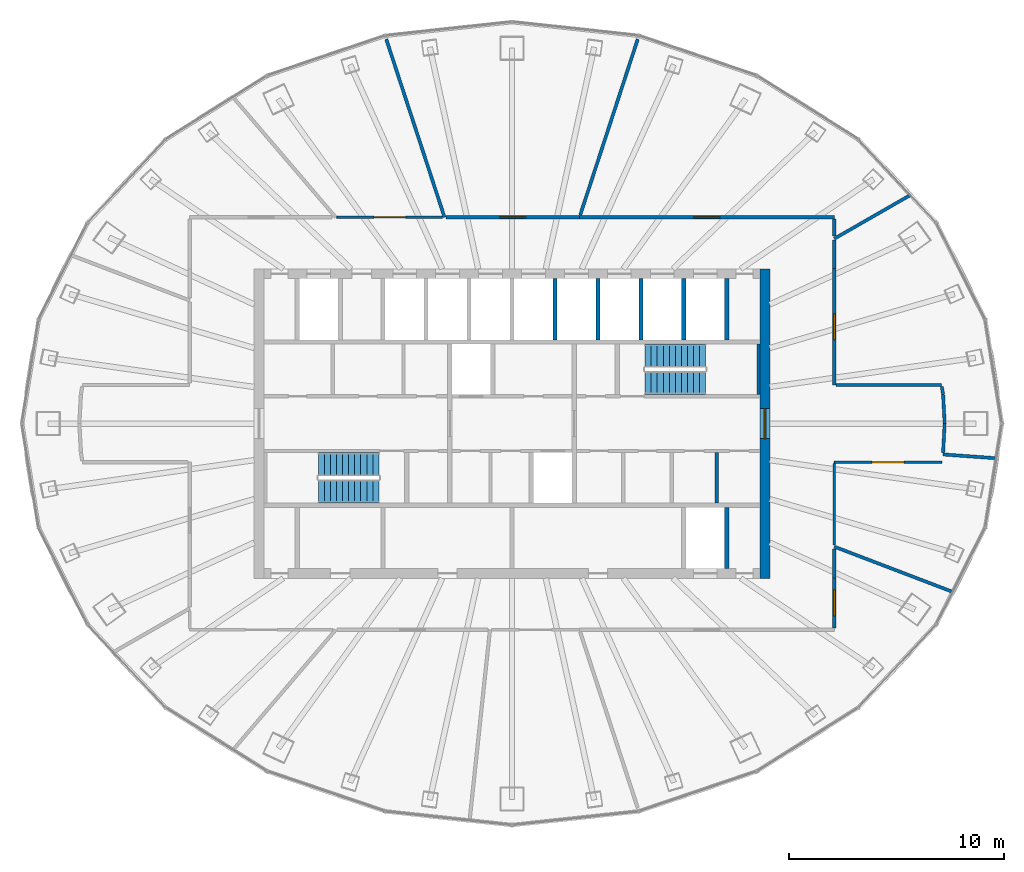
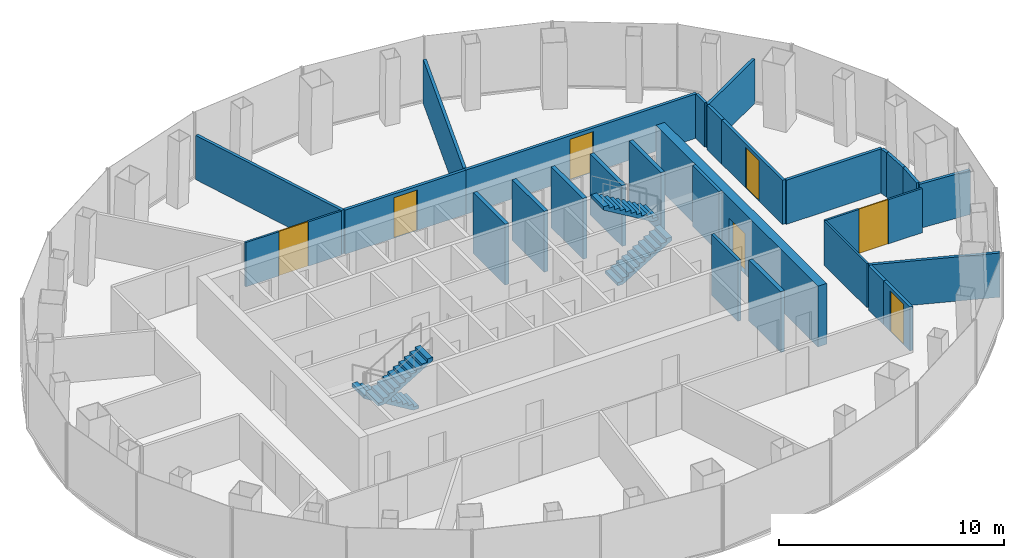
# One storey, part 10 of 11: 28 walls, 7 doors, 4 stair flights, 7 openings, 2 elements without a shape of their own.
"""IFC4 building model written with IfcOpenShell, lengths in metres."""

from ifc_helpers import new_model, si_unit, direction, frame, frame_2d, origin, place, context, subcontext, project, spatial, polyline, rectangle, outline, extrude, material, layer, layer_set, type_object, element, fill, aggregate, save


model = new_model("IFC4")

# Units and contexts
model_context = context("Model", 3, precision=1e-05, world=origin(), true_north=direction((0.0, 1.0)))
body_context = subcontext(model_context, "Body", "Model", "MODEL_VIEW")
ifc_project = project(units=[si_unit("LENGTHUNIT", "METRE"), si_unit("AREAUNIT", "SQUARE_METRE"), si_unit("VOLUMEUNIT", "CUBIC_METRE"), si_unit("PLANEANGLEUNIT", "RADIAN"), si_unit("MASSUNIT", "GRAM", prefix="KILO")], contexts=[model_context])

# Site, building, storey
site_placement = place(None, origin())
site = spatial("IfcSite", under=ifc_project, at=site_placement, CompositionType="ELEMENT")
building_placement = place(site_placement, origin())
building = spatial("IfcBuilding", under=site, at=building_placement, Name="Siaravel Broadcast Tower", CompositionType="ELEMENT")
storey_placement = place(building_placement, frame((0.0, 0.0, 197.800048828125)))
storey = spatial("IfcBuildingStorey", under=building, at=storey_placement, Name="L48", CompositionType="ELEMENT", Elevation=197.800048828125)

# Wall
ifc_material_1 = material(Name="Concrete blockwork", Category="masonry")
ifc_layer_1 = layer(ifc_material_1, 0.14990234375)
ifc_layer_set_1 = layer_set([ifc_layer_1], Name="Concrete blockwork")
wall_type_1 = type_object("IfcWallType", Name="Core partition 150", PredefinedType="PARTITIONING", material=ifc_layer_set_1)
wall_1_placement = place(storey_placement, frame((9.531005859375, -3.699951171875, 0.0), z_axis=(0.0, 0.0, 1.0), x_axis=(0.0, 1.0, 0.0)))
element("IfcWall", 1, at=wall_1_placement, inside=storey, type_object=wall_type_1, Name="L48 core partition PSE2", PredefinedType="PARTITIONING", context=body_context, shape_type="SweptSolid", body=[
    extrude(rectangle(XDim=2.349853515625, YDim=0.14990234375, at=frame_2d((1.1748046875, 0.0))), origin(), (0.0, 0.0, 1.0), 3.300048828125),
])

# Wall, opening, door
ifc_material_2 = material(Name="Concrete C60/75", Category="concrete")
ifc_layer_2 = layer(ifc_material_2, 0.449951171875)
ifc_layer_set_2 = layer_set([ifc_layer_2], Name="Concrete C60/75")
wall_type_2 = type_object("IfcWallType", Name="Core wall 450", PredefinedType="SHEAR", material=ifc_layer_set_2)
wall_2_placement = place(storey_placement, frame((11.77490234375, -7.199951171875, 0.0), z_axis=(0.0, 0.0, 1.0), x_axis=(0.0, 1.0, 0.0)))
wall_2 = element("IfcWall", 2, at=wall_2_placement, inside=storey, type_object=wall_type_2, Name="L48 core wall OE", PredefinedType="SHEAR", context=body_context, shape_type="SweptSolid", body=[
    extrude(rectangle(XDim=14.39990234375, YDim=0.449951171875, at=frame_2d((7.199951171875, 0.0))), origin(), (0.0, 0.0, 1.0), 3.300048828125),
])
opening_1_placement = place(wall_2_placement, frame((6.5, 0.0, 0.0)))
opening_1 = element("IfcOpeningElement", 3, at=opening_1_placement, cuts=wall_2, Name="Opening L48-DX-E", PredefinedType="OPENING", context=body_context, shape_type="SweptSolid", body=[
    extrude(rectangle(XDim=1.39990234375, YDim=2.199951171875, at=frame_2d((0.699951171875, 1.10009765625))), frame((0.0, 0.23486328125, 0.0), z_axis=(0.0, -1.0, 0.0), x_axis=(1.0, 0.0, 0.0)), (0.0, 0.0, 1.0), 0.469970703125),
])
ifc_material_3 = material(Name="Steel", Category="steel")
door_type_1 = type_object("IfcDoorType", Name="Core exit door 1400", OperationType="DOUBLE_DOOR_SINGLE_SWING", PredefinedType="DOOR", material=ifc_material_3)
door_1_placement = place(opening_1_placement, origin())
door_1 = element("IfcDoor", 4, at=door_1_placement, inside=storey, type_object=door_type_1, Name="L48 door DX-E", OperationType="DOUBLE_DOOR_SINGLE_SWING", OverallHeight=2.199951171875, OverallWidth=1.39990234375, PredefinedType="DOOR", context=body_context, shape_type="SweptSolid", body=[
    extrude(rectangle(XDim=1.39990234375, YDim=2.199951171875, at=frame_2d((0.699951171875, 1.10009765625))), frame((0.0, 0.02490234375, 0.0), z_axis=(0.0, -1.0, 0.0), x_axis=(1.0, 0.0, 0.0)), (0.0, 0.0, 1.0), 0.050048828125),
])
fill(opening_1, door_1)

ifc_material_4 = material(Name="Gypsum board partition", Category="gypsum")
ifc_layer_3 = layer(ifc_material_4, 0.14990234375)
ifc_layer_set_3 = layer_set([ifc_layer_3], Name="Gypsum board partition")
wall_type_3 = type_object("IfcWallType", Name="Corridor wall 150", PredefinedType="PARTITIONING", material=ifc_layer_set_3)
wall_3_placement = place(storey_placement, frame((15.0, 9.60009765625, 0.0), z_axis=(0.0, 0.0, 1.0), x_axis=(-1.0, 0.0, 0.0)))
wall_3 = element("IfcWall", 5, at=wall_3_placement, inside=storey, type_object=wall_type_3, Name="L48 partition 2", PredefinedType="PARTITIONING", context=body_context, shape_type="SweptSolid", body=[
    extrude(rectangle(XDim=11.859619140625, YDim=0.14990234375, at=frame_2d((5.9296875, 0.0))), origin(), (0.0, 0.0, 1.0), 2.39990234375),
])
opening_2_placement = place(wall_3_placement, frame((5.329833984375, 0.0, 0.0)))
opening_2 = element("IfcOpeningElement", 6, at=opening_2_placement, cuts=wall_3, Name="Opening L48-007", PredefinedType="OPENING", context=body_context, shape_type="SweptSolid", body=[
    extrude(rectangle(XDim=1.199951171875, YDim=2.199951171875, at=frame_2d((0.60009765625, 1.10009765625))), frame((0.0, 0.0849609375, 0.0), z_axis=(0.0, -1.0, 0.0), x_axis=(1.0, 0.0, 0.0)), (0.0, 0.0, 1.0), 0.169921875),
])
ifc_material_5 = material(Name="Timber veneer", Category="wood")
door_type_2 = type_object("IfcDoorType", Name="Office double door 1200", OperationType="DOUBLE_DOOR_SINGLE_SWING", PredefinedType="DOOR", material=ifc_material_5)
door_2_placement = place(opening_2_placement, origin())
door_2 = element("IfcDoor", 7, at=door_2_placement, inside=storey, type_object=door_type_2, Name="L48 door to Open plan office", OperationType="DOUBLE_DOOR_SINGLE_SWING", OverallHeight=2.199951171875, OverallWidth=1.199951171875, PredefinedType="DOOR", context=body_context, shape_type="SweptSolid", body=[
    extrude(rectangle(XDim=1.199951171875, YDim=2.199951171875, at=frame_2d((0.60009765625, 1.10009765625))), frame((0.0, 0.02490234375, 0.0), z_axis=(0.0, -1.0, 0.0), x_axis=(1.0, 0.0, 0.0)), (0.0, 0.0, 1.0), 0.050048828125),
])
fill(opening_2, door_2)

wall_4_placement = place(storey_placement, frame((3.140380859375, 9.60009765625, 0.0), z_axis=(0.0, 0.0, 1.0), x_axis=(-1.0, 0.0, 0.0)))
wall_4 = element("IfcWall", 8, at=wall_4_placement, inside=storey, type_object=wall_type_3, Name="L48 partition 12", PredefinedType="PARTITIONING", context=body_context, shape_type="SweptSolid", body=[
    extrude(rectangle(XDim=6.20751953125, YDim=0.14990234375, at=frame_2d((3.103759765625, 0.0))), origin(), (0.0, 0.0, 1.0), 2.39990234375),
])
opening_3_placement = place(wall_4_placement, frame((2.503662109375, 0.0, 0.0)))
opening_3 = element("IfcOpeningElement", 9, at=opening_3_placement, cuts=wall_4, Name="Opening L48-008", PredefinedType="OPENING", context=body_context, shape_type="SweptSolid", body=[
    extrude(rectangle(XDim=1.199951171875, YDim=2.199951171875, at=frame_2d((0.60009765625, 1.10009765625))), frame((0.0, 0.0849609375, 0.0), z_axis=(0.0, -1.0, 0.0), x_axis=(1.0, 0.0, 0.0)), (0.0, 0.0, 1.0), 0.169921875),
])
door_3_placement = place(opening_3_placement, origin())
door_3 = element("IfcDoor", 10, at=door_3_placement, inside=storey, type_object=door_type_2, Name="L48 door to Open plan office", OperationType="DOUBLE_DOOR_SINGLE_SWING", OverallHeight=2.199951171875, OverallWidth=1.199951171875, PredefinedType="DOOR", context=body_context, shape_type="SweptSolid", body=[
    extrude(rectangle(XDim=1.199951171875, YDim=2.199951171875, at=frame_2d((0.60009765625, 1.10009765625))), frame((0.0, 0.02490234375, 0.0), z_axis=(0.0, -1.0, 0.0), x_axis=(1.0, 0.0, 0.0)), (0.0, 0.0, 1.0), 0.050048828125),
])
fill(opening_3, door_3)

wall_5_placement = place(storey_placement, frame((15.0, 1.800048828125, 0.0), z_axis=(0.0, 0.0, 1.0), x_axis=(0.0, 1.0, 0.0)))
wall_5 = element("IfcWall", 11, at=wall_5_placement, inside=storey, type_object=wall_type_3, Name="L48 partition 16", PredefinedType="PARTITIONING", context=body_context, shape_type="SweptSolid", body=[
    extrude(rectangle(XDim=5.411865234375, YDim=0.14990234375, at=frame_2d((2.7060546875, 0.0))), origin(), (0.0, 0.0, 1.0), 2.39990234375),
])
opening_4_placement = place(wall_5_placement, frame((2.10595703125, 0.0, 0.0)))
opening_4 = element("IfcOpeningElement", 12, at=opening_4_placement, cuts=wall_5, Name="Opening L48-006", PredefinedType="OPENING", context=body_context, shape_type="SweptSolid", body=[
    extrude(rectangle(XDim=1.199951171875, YDim=2.199951171875, at=frame_2d((0.60009765625, 1.10009765625))), frame((0.0, 0.0849609375, 0.0), z_axis=(0.0, -1.0, 0.0), x_axis=(1.0, 0.0, 0.0)), (0.0, 0.0, 1.0), 0.169921875),
])
door_4_placement = place(opening_4_placement, origin())
door_4 = element("IfcDoor", 13, at=door_4_placement, inside=storey, type_object=door_type_2, Name="L48 door to Open plan office", OperationType="DOUBLE_DOOR_SINGLE_SWING", OverallHeight=2.199951171875, OverallWidth=1.199951171875, PredefinedType="DOOR", context=body_context, shape_type="SweptSolid", body=[
    extrude(rectangle(XDim=1.199951171875, YDim=2.199951171875, at=frame_2d((0.60009765625, 1.10009765625))), frame((0.0, 0.02490234375, 0.0), z_axis=(0.0, -1.0, 0.0), x_axis=(1.0, 0.0, 0.0)), (0.0, 0.0, 1.0), 0.050048828125),
])
fill(opening_4, door_4)

# Wall
wall_6_placement = place(storey_placement, frame((19.9921875, 1.800048828125, 0.0), z_axis=(0.0, 0.0, 1.0), x_axis=(-1.0, 0.0, 0.0)))
element("IfcWall", 14, at=wall_6_placement, inside=storey, type_object=wall_type_3, Name="L48 partition 21", PredefinedType="PARTITIONING", context=body_context, shape_type="SweptSolid", body=[
    extrude(rectangle(XDim=4.915283203125, YDim=0.14990234375, at=frame_2d((2.45751953125, 0.0))), origin(), (0.0, 0.0, 1.0), 2.39990234375),
])

# Wall, opening, door
wall_7_placement = place(storey_placement, frame((15.0, -9.52294921875, 0.0), z_axis=(0.0, 0.0, 1.0), x_axis=(0.0, 1.0, 0.0)))
wall_7 = element("IfcWall", 15, at=wall_7_placement, inside=storey, type_object=wall_type_3, Name="L48 partition 29", PredefinedType="PARTITIONING", context=body_context, shape_type="SweptSolid", body=[
    extrude(rectangle(XDim=2.3349609375, YDim=0.14990234375, at=frame_2d((1.16748046875, 0.0))), origin(), (0.0, 0.0, 1.0), 2.39990234375),
])
opening_5_placement = place(wall_7_placement, frame((0.5673828125, 0.0, 0.0)))
opening_5 = element("IfcOpeningElement", 16, at=opening_5_placement, cuts=wall_7, Name="Opening L48-004", PredefinedType="OPENING", context=body_context, shape_type="SweptSolid", body=[
    extrude(rectangle(XDim=1.199951171875, YDim=2.199951171875, at=frame_2d((0.60009765625, 1.10009765625))), frame((0.0, 0.0849609375, 0.0), z_axis=(0.0, -1.0, 0.0), x_axis=(1.0, 0.0, 0.0)), (0.0, 0.0, 1.0), 0.169921875),
])
door_5_placement = place(opening_5_placement, origin())
door_5 = element("IfcDoor", 17, at=door_5_placement, inside=storey, type_object=door_type_2, Name="L48 door to Open plan office", OperationType="DOUBLE_DOOR_SINGLE_SWING", OverallHeight=2.199951171875, OverallWidth=1.199951171875, PredefinedType="DOOR", context=body_context, shape_type="SweptSolid", body=[
    extrude(rectangle(XDim=1.199951171875, YDim=2.199951171875, at=frame_2d((0.60009765625, 1.10009765625))), frame((0.0, 0.02490234375, 0.0), z_axis=(0.0, -1.0, 0.0), x_axis=(1.0, 0.0, 0.0)), (0.0, 0.0, 1.0), 0.050048828125),
])
fill(opening_5, door_5)

# Walls
wall_8_placement = place(storey_placement, frame((15.0, -7.18701171875, 0.0), z_axis=(0.0, 0.0, 1.0), x_axis=(0.0, 1.0, 0.0)))
element("IfcWall", 18, at=wall_8_placement, inside=storey, type_object=wall_type_3, Name="L48 partition 31", PredefinedType="PARTITIONING", context=body_context, shape_type="SweptSolid", body=[
    extrude(rectangle(XDim=1.3466796875, YDim=0.14990234375, at=frame_2d((0.67333984375, 0.0))), origin(), (0.0, 0.0, 1.0), 2.39990234375),
])
wall_9_placement = place(storey_placement, frame((20.064208984375, -1.360595703125, 0.0), z_axis=(0.0, 0.0, 1.0), x_axis=(0.053217143, 0.998582964, 0.0)))
element("IfcWall", 19, at=wall_9_placement, inside=storey, type_object=wall_type_3, Name="L48 partition 32", PredefinedType="PARTITIONING", context=body_context, shape_type="SweptSolid", body=[
    extrude(rectangle(XDim=1.362548828125, YDim=0.14990234375, at=frame_2d((0.68115234375, 0.0))), origin(), (0.0, 0.0, 1.0), 2.39990234375),
])
wall_10_placement = place(storey_placement, frame((15.0, 7.212890625, 0.0), z_axis=(0.0, 0.0, 1.0), x_axis=(0.0, 1.0, 0.0)))
element("IfcWall", 20, at=wall_10_placement, inside=storey, type_object=wall_type_3, Name="L48 partition 34", PredefinedType="PARTITIONING", context=body_context, shape_type="SweptSolid", body=[
    extrude(rectangle(XDim=1.3232421875, YDim=0.14990234375, at=frame_2d((0.66162109375, 0.0))), origin(), (0.0, 0.0, 1.0), 2.39990234375),
])
wall_11_placement = place(storey_placement, frame((20.13623046875, 0.010009765625, 0.0), z_axis=(0.0, 0.0, 1.0), x_axis=(-0.053267345, 0.998580287, 0.0)))
element("IfcWall", 21, at=wall_11_placement, inside=storey, type_object=wall_type_3, Name="L48 partition 37", PredefinedType="PARTITIONING", context=body_context, shape_type="SweptSolid", body=[
    extrude(rectangle(XDim=1.33837890625, YDim=0.14990234375, at=frame_2d((0.669189453125, 0.0))), origin(), (0.0, 0.0, 1.0), 2.39990234375),
])
wall_12_placement = place(storey_placement, frame((15.0, 8.734619140625, 0.0), z_axis=(0.0, 0.0, 1.0), x_axis=(0.0, 1.0, 0.0)))
element("IfcWall", 22, at=wall_12_placement, inside=storey, type_object=wall_type_3, Name="L48 partition 39", PredefinedType="PARTITIONING", context=body_context, shape_type="SweptSolid", body=[
    extrude(rectangle(XDim=0.788330078125, YDim=0.14990234375, at=frame_2d((0.39404296875, 0.0))), origin(), (0.0, 0.0, 1.0), 2.39990234375),
])
wall_13_placement = place(storey_placement, frame((20.0634765625, 1.356201171875, 0.0), z_axis=(0.0, 0.0, 1.0), x_axis=(-0.158882963, 0.987297424, 0.0)))
element("IfcWall", 23, at=wall_13_placement, inside=storey, type_object=wall_type_3, Name="L48 partition 42", PredefinedType="PARTITIONING", context=body_context, shape_type="SweptSolid", body=[
    extrude(rectangle(XDim=0.373291015625, YDim=0.14990234375, at=frame_2d((0.1865234375, 0.0))), origin(), (0.0, 0.0, 1.0), 2.39990234375),
])

# Wall, opening, door
ifc_material_6 = material(Name="Glazed aluminium partition", Category="aluminium")
ifc_layer_4 = layer(ifc_material_6, 0.10009765625)
ifc_layer_set_4 = layer_set([ifc_layer_4], Name="Glazed aluminium partition")
wall_type_4 = type_object("IfcWallType", Name="Glazed meeting room partition 100", PredefinedType="PARTITIONING", material=ifc_layer_set_4)
wall_14_placement = place(storey_placement, frame((-3.237548828125, 9.60009765625, 0.0), z_axis=(0.0, 0.0, 1.0), x_axis=(-1.0, 0.0, 0.0)))
wall_14 = element("IfcWall", 24, at=wall_14_placement, inside=storey, type_object=wall_type_4, Name="L48 partition 17", PredefinedType="PARTITIONING", context=body_context, shape_type="SweptSolid", body=[
    extrude(rectangle(XDim=4.909912109375, YDim=0.10009765625, at=frame_2d((2.455078125, 0.0))), origin(), (0.0, 0.0, 1.0), 2.39990234375),
])
opening_6_placement = place(wall_14_placement, frame((1.704833984375, 0.0, 0.0)))
opening_6 = element("IfcOpeningElement", 25, at=opening_6_placement, cuts=wall_14, Name="Opening L48-009", PredefinedType="OPENING", context=body_context, shape_type="SweptSolid", body=[
    extrude(rectangle(XDim=1.5, YDim=2.39990234375, at=frame_2d((0.75, 1.199951171875))), frame((0.0, 0.06005859375, 0.0), z_axis=(0.0, -1.0, 0.0), x_axis=(1.0, 0.0, 0.0)), (0.0, 0.0, 1.0), 0.1201171875),
])
door_type_3 = type_object("IfcDoorType", Name="Conference double door 1500", OperationType="DOUBLE_DOOR_SINGLE_SWING", PredefinedType="DOOR", material=ifc_material_5)
door_6_placement = place(opening_6_placement, origin())
door_6 = element("IfcDoor", 26, at=door_6_placement, inside=storey, type_object=door_type_3, Name="L48 door to Training room", OperationType="DOUBLE_DOOR_SINGLE_SWING", OverallHeight=2.39990234375, OverallWidth=1.5, PredefinedType="DOOR", context=body_context, shape_type="SweptSolid", body=[
    extrude(rectangle(XDim=1.5, YDim=2.39990234375, at=frame_2d((0.75, 1.199951171875))), frame((0.0, 0.02490234375, 0.0), z_axis=(0.0, -1.0, 0.0), x_axis=(1.0, 0.0, 0.0)), (0.0, 0.0, 1.0), 0.050048828125),
])
fill(opening_6, door_6)

wall_15_placement = place(storey_placement, frame((15.0, -1.800048828125, 0.0), z_axis=(0.0, 0.0, 1.0), x_axis=(1.0, 0.0, 0.0)))
wall_15 = element("IfcWall", 27, at=wall_15_placement, inside=storey, type_object=wall_type_4, Name="L48 partition 20", PredefinedType="PARTITIONING", context=body_context, shape_type="SweptSolid", body=[
    extrude(rectangle(XDim=4.9921875, YDim=0.10009765625, at=frame_2d((2.49609375, 0.0))), origin(), (0.0, 0.0, 1.0), 2.39990234375),
])
opening_7_placement = place(wall_15_placement, frame((1.74609375, 0.0, 0.0)))
opening_7 = element("IfcOpeningElement", 28, at=opening_7_placement, cuts=wall_15, Name="Opening L48-005", PredefinedType="OPENING", context=body_context, shape_type="SweptSolid", body=[
    extrude(rectangle(XDim=1.5, YDim=2.39990234375, at=frame_2d((0.75, 1.199951171875))), frame((0.0, 0.06005859375, 0.0), z_axis=(0.0, -1.0, 0.0), x_axis=(1.0, 0.0, 0.0)), (0.0, 0.0, 1.0), 0.1201171875),
])
door_7_placement = place(opening_7_placement, origin())
door_7 = element("IfcDoor", 29, at=door_7_placement, inside=storey, type_object=door_type_3, Name="L48 door to Conference room", OperationType="DOUBLE_DOOR_SINGLE_SWING", OverallHeight=2.39990234375, OverallWidth=1.5, PredefinedType="DOOR", context=body_context, shape_type="SweptSolid", body=[
    extrude(rectangle(XDim=1.5, YDim=2.39990234375, at=frame_2d((0.75, 1.199951171875))), frame((0.0, 0.02490234375, 0.0), z_axis=(0.0, -1.0, 0.0), x_axis=(1.0, 0.0, 0.0)), (0.0, 0.0, 1.0), 0.050048828125),
])
fill(opening_7, door_7)

# Walls
wall_16_placement = place(storey_placement, frame((15.0, -5.6572265625, 0.0), z_axis=(0.0, 0.0, 1.0), x_axis=(0.0, 1.0, 0.0)))
element("IfcWall", 30, at=wall_16_placement, inside=storey, type_object=wall_type_4, Name="L48 partition 26", PredefinedType="PARTITIONING", context=body_context, shape_type="SweptSolid", body=[
    extrude(rectangle(XDim=3.80517578125, YDim=0.10009765625, at=frame_2d((1.902587890625, 0.0))), origin(), (0.0, 0.0, 1.0), 2.39990234375),
])
ifc_layer_5 = layer(ifc_material_4, 0.14990234375)
ifc_layer_set_5 = layer_set([ifc_layer_5], Name="Gypsum board partition")
wall_type_5 = type_object("IfcWallType", Name="Room partition 150", PredefinedType="PARTITIONING", material=ifc_layer_set_5)
wall_17_placement = place(storey_placement, frame((-5.853271484375, 17.892822265625, 0.0), z_axis=(0.0, 0.0, 1.0), x_axis=(0.310926014, -0.950434119, 0.0)))
element("IfcWall", 31, at=wall_17_placement, inside=storey, type_object=wall_type_5, Name="L48 partition 4", PredefinedType="PARTITIONING", context=body_context, shape_type="SweptSolid", body=[
    extrude(rectangle(XDim=8.72509765625, YDim=0.14990234375, at=frame_2d((4.362548828125, 0.0))), origin(), (0.0, 0.0, 1.0), 2.39990234375),
])
wall_18_placement = place(storey_placement, frame((5.853271484375, 17.892822265625, 0.0), z_axis=(0.0, 0.0, 1.0), x_axis=(-0.310929285, -0.950433049, 0.0)))
element("IfcWall", 32, at=wall_18_placement, inside=storey, type_object=wall_type_5, Name="L48 partition 6", PredefinedType="PARTITIONING", context=body_context, shape_type="SweptSolid", body=[
    extrude(rectangle(XDim=8.619873046875, YDim=0.14990234375, at=frame_2d((4.31005859375, 0.0))), origin(), (0.0, 0.0, 1.0), 2.39990234375),
])
wall_19_placement = place(storey_placement, frame((20.515380859375, -7.8359375, 0.0), z_axis=(0.0, 0.0, 1.0), x_axis=(-0.934186062, 0.356786213, 0.0)))
element("IfcWall", 33, at=wall_19_placement, inside=storey, type_object=wall_type_5, Name="L48 partition 14", PredefinedType="PARTITIONING", context=body_context, shape_type="SweptSolid", body=[
    extrude(rectangle(XDim=5.904052734375, YDim=0.14990234375, at=frame_2d((2.9521484375, 0.0))), origin(), (0.0, 0.0, 1.0), 2.39990234375),
])
wall_20_placement = place(storey_placement, frame((18.537109375, 10.632080078125, 0.0), z_axis=(0.0, 0.0, 1.0), x_axis=(-0.867438786, -0.49754392, 0.0)))
element("IfcWall", 34, at=wall_20_placement, inside=storey, type_object=wall_type_5, Name="L48 partition 24", PredefinedType="PARTITIONING", context=body_context, shape_type="SweptSolid", body=[
    extrude(rectangle(XDim=4.07763671875, YDim=0.14990234375, at=frame_2d((2.038818359375, 0.0))), origin(), (0.0, 0.0, 1.0), 2.39990234375),
])
wall_21_placement = place(storey_placement, frame((22.55419921875, -1.6162109375, 0.0), z_axis=(0.0, 0.0, 1.0), x_axis=(-0.997442317, 0.071476043, 0.0)))
element("IfcWall", 35, at=wall_21_placement, inside=storey, type_object=wall_type_5, Name="L48 partition 27", PredefinedType="PARTITIONING", context=body_context, shape_type="SweptSolid", body=[
    extrude(rectangle(XDim=2.500244140625, YDim=0.14990234375, at=frame_2d((1.25, 0.0))), origin(), (0.0, 0.0, 1.0), 2.39990234375),
])
ifc_layer_6 = layer(ifc_material_2, 0.14990234375)
ifc_layer_set_6 = layer_set([ifc_layer_6], Name="Concrete C60/75")
wall_type_6 = type_object("IfcWallType", Name="Shaft wall 150", PredefinedType="SHEAR", material=ifc_layer_set_6)
wall_22_placement = place(storey_placement, frame((11.47509765625, 1.35009765625, 0.0), z_axis=(0.0, 0.0, 1.0), x_axis=(0.0, 1.0, 0.0)))
element("IfcWall", 36, at=wall_22_placement, inside=storey, type_object=wall_type_6, Name="L48 core wall ST2E", PredefinedType="SHEAR", context=body_context, shape_type="SweptSolid", body=[
    extrude(rectangle(XDim=2.349853515625, YDim=0.14990234375, at=frame_2d((1.1748046875, 0.0))), origin(), (0.0, 0.0, 1.0), 3.300048828125),
])
ifc_layer_7 = layer(ifc_material_2, 0.199951171875)
ifc_layer_set_7 = layer_set([ifc_layer_7], Name="Concrete C60/75")
wall_type_7 = type_object("IfcWallType", Name="Shaft wall 200", PredefinedType="SHEAR", material=ifc_layer_set_7)
for number, where, z_axis, x_axis, name in (
    (37, (10.0, -6.75, 0.0), (0.0, 0.0, 1.0), (0.0, 1.0, 0.0), "L48 core wall SWS10"),
    (38, (2.0, 3.89990234375, 0.0), (0.0, 0.0, 1.0), (0.0, 1.0, 0.0), "L48 core wall SWN6"),
    (39, (4.0, 3.89990234375, 0.0), (0.0, 0.0, 1.0), (0.0, 1.0, 0.0), "L48 core wall SWN7"),
    (40, (6.0, 3.89990234375, 0.0), (0.0, 0.0, 1.0), (0.0, 1.0, 0.0), "L48 core wall SWN8"),
    (41, (8.0, 3.89990234375, 0.0), (0.0, 0.0, 1.0), (0.0, 1.0, 0.0), "L48 core wall SWN9"),
    (42, (10.0, 3.89990234375, 0.0), (0.0, 0.0, 1.0), (0.0, 1.0, 0.0), "L48 core wall SWN10"),
):
    element("IfcWall", number, at=place(storey_placement, frame(where, z_axis=z_axis, x_axis=x_axis)), inside=storey, type_object=wall_type_7, Name=name, PredefinedType="SHEAR", context=body_context, shape_type="SweptSolid", body=[
        extrude(rectangle(XDim=2.85009765625, YDim=0.199951171875, at=frame_2d((1.425048828125, 0.0))), origin(), (0.0, 0.0, 1.0), 3.300048828125),
    ])

# Stair, stair flights
ifc_material_7 = material(Name="Concrete C40/50", Category="concrete")
stair_type = type_object("IfcStairType", Name="Core exit stair", PredefinedType="HALF_TURN_STAIR", material=ifc_material_7)
stair_1_placement = place(storey_placement, origin())
stair_1 = element("IfcStair", 43, at=stair_1_placement, inside=storey, type_object=stair_type, Name="L48 Exit stair ST-1", PredefinedType="HALF_TURN_STAIR")
stair_flight_type = type_object("IfcStairFlightType", Name="Stair flight 1100", PredefinedType="STRAIGHT", material=ifc_material_7)
stair_flight_1_placement = place(storey_placement, frame((-6.199951171875, -1.89990234375, 0.0), z_axis=(0.0, 0.0, 1.0), x_axis=(-1.0, 0.0, 0.0)))
stair_flight_1 = element("IfcStairFlight", 44, at=stair_flight_1_placement, type_object=stair_flight_type, Name="ST-1 flight 1", NumberOfRisers=11, NumberOfTreads=10, PredefinedType="STRAIGHT", RiserHeight=0.1681818, TreadLength=0.28, context=body_context, shape_type="SweptSolid", body=[
    extrude(outline(polyline([(0.0, 0.0), (0.0, 0.168212890625), (0.280029296875, 0.168212890625), (0.280029296875, 0.33642578125), (0.56005859375, 0.33642578125), (0.56005859375, 0.504638671875), (0.840087890625, 0.504638671875), (0.840087890625, 0.672607421875), (1.1201171875, 0.672607421875), (1.1201171875, 0.8408203125), (1.39990234375, 0.8408203125), (1.39990234375, 1.009033203125), (1.679931640625, 1.009033203125), (1.679931640625, 1.17724609375), (1.9599609375, 1.17724609375), (1.9599609375, 1.345458984375), (2.239990234375, 1.345458984375), (2.239990234375, 1.513671875), (2.52001953125, 1.513671875), (2.52001953125, 1.681884765625), (2.800048828125, 1.681884765625), (2.800048828125, 1.85009765625), (2.800048828125, 1.5068359375), (0.291015625, 0.0), (0.0, 0.0)])), frame((0.0, 0.550048828125, 0.0), z_axis=(0.0, -1.0, 0.0), x_axis=(1.0, 0.0, 0.0)), (0.0, 0.0, 1.0), 1.10009765625),
])
stair_flight_2_placement = place(storey_placement, frame((-9.0, -3.14990234375, 1.849853515625), z_axis=(0.0, 0.0, 1.0), x_axis=(1.0, 0.0, 0.0)))
stair_flight_2 = element("IfcStairFlight", 45, at=stair_flight_2_placement, type_object=stair_flight_type, Name="ST-1 flight 2", NumberOfRisers=11, NumberOfTreads=10, PredefinedType="STRAIGHT", RiserHeight=0.1681818, TreadLength=0.28, context=body_context, shape_type="SweptSolid", body=[
    extrude(outline(polyline([(0.0, 0.0), (0.0, 0.168212890625), (0.280029296875, 0.168212890625), (0.280029296875, 0.33642578125), (0.56005859375, 0.33642578125), (0.56005859375, 0.504638671875), (0.840087890625, 0.504638671875), (0.840087890625, 0.672607421875), (1.1201171875, 0.672607421875), (1.1201171875, 0.8408203125), (1.39990234375, 0.8408203125), (1.39990234375, 1.009033203125), (1.679931640625, 1.009033203125), (1.679931640625, 1.17724609375), (1.9599609375, 1.17724609375), (1.9599609375, 1.345458984375), (2.239990234375, 1.345458984375), (2.239990234375, 1.513671875), (2.52001953125, 1.513671875), (2.52001953125, 1.681884765625), (2.800048828125, 1.681884765625), (2.800048828125, 1.85009765625), (2.800048828125, 1.5068359375), (0.291015625, 0.0), (0.0, 0.0)])), frame((0.0, 0.550048828125, 0.0), z_axis=(0.0, -1.0, 0.0), x_axis=(1.0, 0.0, 0.0)), (0.0, 0.0, 1.0), 1.10009765625),
])
aggregate(stair_1, [stair_flight_1, stair_flight_2])

stair_2_placement = place(storey_placement, origin())
stair_2 = element("IfcStair", 46, at=stair_2_placement, inside=storey, type_object=stair_type, Name="L48 Exit stair ST-2", PredefinedType="HALF_TURN_STAIR")
stair_flight_3_placement = place(storey_placement, frame((6.199951171875, 1.89990234375, 0.0), z_axis=(0.0, 0.0, 1.0), x_axis=(1.0, 0.0, 0.0)))
stair_flight_3 = element("IfcStairFlight", 47, at=stair_flight_3_placement, type_object=stair_flight_type, Name="ST-2 flight 1", NumberOfRisers=11, NumberOfTreads=10, PredefinedType="STRAIGHT", RiserHeight=0.1681818, TreadLength=0.28, context=body_context, shape_type="SweptSolid", body=[
    extrude(outline(polyline([(0.0, 0.0), (0.0, 0.168212890625), (0.280029296875, 0.168212890625), (0.280029296875, 0.33642578125), (0.56005859375, 0.33642578125), (0.56005859375, 0.504638671875), (0.840087890625, 0.504638671875), (0.840087890625, 0.672607421875), (1.1201171875, 0.672607421875), (1.1201171875, 0.8408203125), (1.39990234375, 0.8408203125), (1.39990234375, 1.009033203125), (1.679931640625, 1.009033203125), (1.679931640625, 1.17724609375), (1.9599609375, 1.17724609375), (1.9599609375, 1.345458984375), (2.239990234375, 1.345458984375), (2.239990234375, 1.513671875), (2.52001953125, 1.513671875), (2.52001953125, 1.681884765625), (2.800048828125, 1.681884765625), (2.800048828125, 1.85009765625), (2.800048828125, 1.5068359375), (0.291015625, 0.0), (0.0, 0.0)])), frame((0.0, 0.550048828125, 0.0), z_axis=(0.0, -1.0, 0.0), x_axis=(1.0, 0.0, 0.0)), (0.0, 0.0, 1.0), 1.10009765625),
])
stair_flight_4_placement = place(storey_placement, frame((9.0, 3.14990234375, 1.849853515625), z_axis=(0.0, 0.0, 1.0), x_axis=(-1.0, 0.0, 0.0)))
stair_flight_4 = element("IfcStairFlight", 48, at=stair_flight_4_placement, type_object=stair_flight_type, Name="ST-2 flight 2", NumberOfRisers=11, NumberOfTreads=10, PredefinedType="STRAIGHT", RiserHeight=0.1681818, TreadLength=0.28, context=body_context, shape_type="SweptSolid", body=[
    extrude(outline(polyline([(0.0, 0.0), (0.0, 0.168212890625), (0.280029296875, 0.168212890625), (0.280029296875, 0.33642578125), (0.56005859375, 0.33642578125), (0.56005859375, 0.504638671875), (0.840087890625, 0.504638671875), (0.840087890625, 0.672607421875), (1.1201171875, 0.672607421875), (1.1201171875, 0.8408203125), (1.39990234375, 0.8408203125), (1.39990234375, 1.009033203125), (1.679931640625, 1.009033203125), (1.679931640625, 1.17724609375), (1.9599609375, 1.17724609375), (1.9599609375, 1.345458984375), (2.239990234375, 1.345458984375), (2.239990234375, 1.513671875), (2.52001953125, 1.513671875), (2.52001953125, 1.681884765625), (2.800048828125, 1.681884765625), (2.800048828125, 1.85009765625), (2.800048828125, 1.5068359375), (0.291015625, 0.0), (0.0, 0.0)])), frame((0.0, 0.550048828125, 0.0), z_axis=(0.0, -1.0, 0.0), x_axis=(1.0, 0.0, 0.0)), (0.0, 0.0, 1.0), 1.10009765625),
])
aggregate(stair_2, [stair_flight_3, stair_flight_4])

save(model, "model.ifc")
